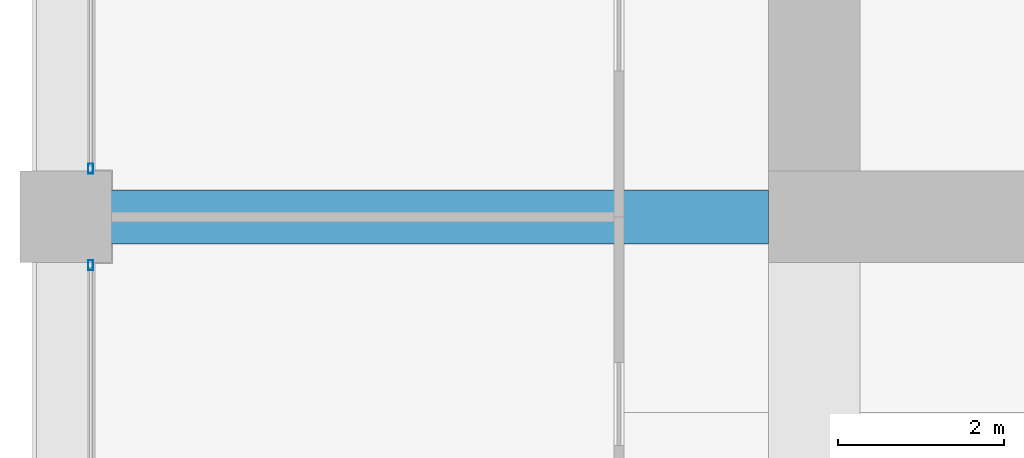
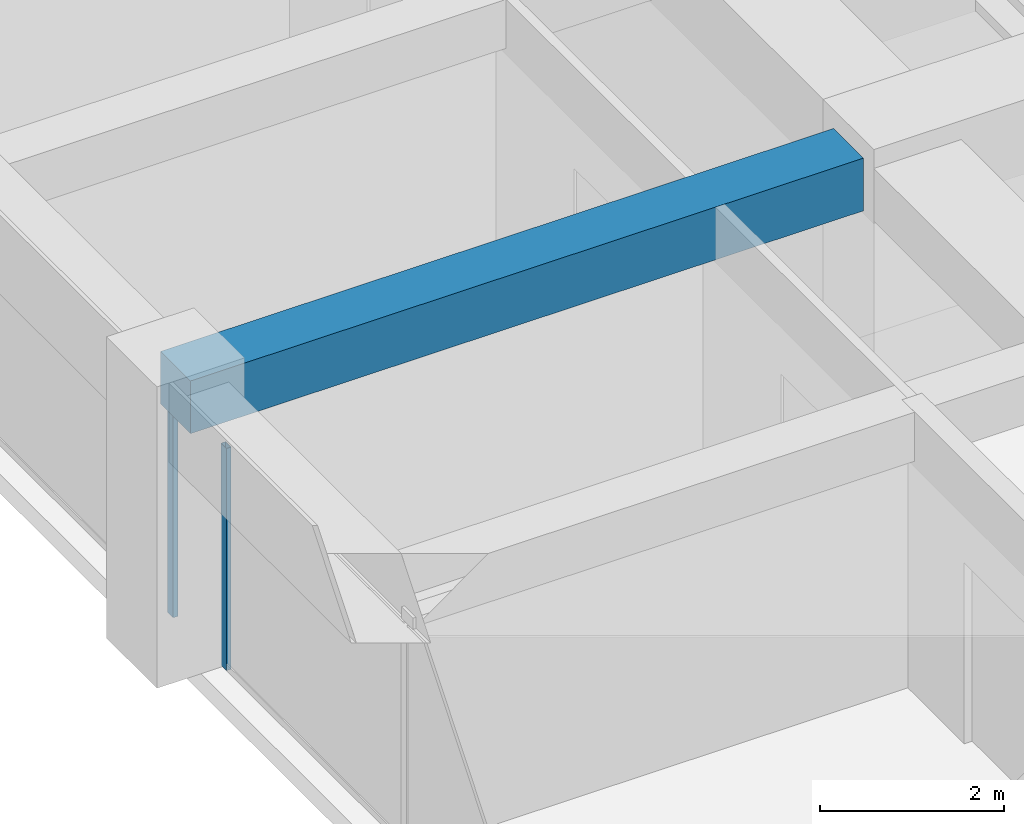
# One storey, part 13 of 44: 2 members, 1 beam, 2 elements without a shape of their own.
"""IFC4 building model written with IfcOpenShell, lengths in metres."""

from ifc_helpers import new_model, si_unit, direction, frame, origin, origin_2d, place, context, subcontext, project, spatial, rectangle, hollow_rectangle, extrude, material, material_profile, profile_set, type_object, element, aggregate, save


model = new_model("IFC4")

# Units and contexts
model_context = context("Model", 3, precision=1e-05, world=origin(), true_north=direction((0.0, 1.0)))
body_context = subcontext(model_context, "Body", "Model", "MODEL_VIEW")
ifc_project = project(units=[si_unit("LENGTHUNIT", "METRE"), si_unit("AREAUNIT", "SQUARE_METRE"), si_unit("VOLUMEUNIT", "CUBIC_METRE"), si_unit("PLANEANGLEUNIT", "RADIAN"), si_unit("MASSUNIT", "GRAM", prefix="KILO")], contexts=[model_context])

# Site, building, storey
site_placement = place(None, origin())
site = spatial("IfcSite", under=ifc_project, at=site_placement, CompositionType="ELEMENT")
building_placement = place(site_placement, origin())
building = spatial("IfcBuilding", under=site, at=building_placement, Name="Zorevar Civic Tower", CompositionType="ELEMENT")
storey_placement = place(building_placement, frame((0.0, 0.0, 275.39990234375)))
storey = spatial("IfcBuildingStorey", under=building, at=storey_placement, Name="L67", CompositionType="ELEMENT", Elevation=275.39990234375)

# Beam
ifc_material_1 = material(Name="Concrete C50/60", Category="concrete")
ifc_material_profile_1 = material_profile(ifc_material_1, rectangle(XDim=0.64990234375, YDim=0.699951171875, at=origin_2d()), Name="RC 650x700")
ifc_profile_set_1 = profile_set([ifc_material_profile_1], Name="Concrete C50/60")
beam_type = type_object("IfcBeamType", Name="Beam RC 650x700", PredefinedType="BEAM", material=ifc_profile_set_1)
beam_placement = place(storey_placement, frame((9.0, 18.0, 3.400146484375), z_axis=(1.0, 0.0, 0.0), x_axis=(0.0, 1.0, 0.0)))
element("IfcBeam", 1, at=beam_placement, inside=storey, type_object=beam_type, Name="Girder L68", PredefinedType="BEAM", context=body_context, shape_type="SweptSolid", body=[
    extrude(rectangle(XDim=0.64990234375, YDim=0.699951171875, at=origin_2d()), origin(), (0.0, 0.0, 1.0), 8.449951171875),
])

# Curtain wall, member
ifc_material_2 = material(Name="Dark grey solar-control glass in black aluminium frame", Category="aluminium")
curtain_wall_type = type_object("IfcCurtainWallType", Name="Curtain wall CW5 top zone", PredefinedType="NOTDEFINED", material=ifc_material_2)
curtain_wall_1_placement = place(storey_placement, origin())
curtain_wall_1 = element("IfcCurtainWall", 2, at=curtain_wall_1_placement, inside=storey, type_object=curtain_wall_type, Name="CW5 L67", PredefinedType="NOTDEFINED")
ifc_material_3 = material(Name="Aluminium, black anodised", Category="aluminium")
ifc_material_profile_2 = material_profile(ifc_material_3, hollow_rectangle(XDim=0.06005859375, YDim=0.1201171875, WallThickness=0.0029296875, at=origin_2d()), Name="AL 120x60x3")
ifc_profile_set_2 = profile_set([ifc_material_profile_2], Name="Aluminium, black anodised")
member_type = type_object("IfcMemberType", Name="CW5 mullion AL 120x60x3", PredefinedType="MULLION", material=ifc_profile_set_2)
member_1_placement = place(storey_placement, frame((9.300048828125, 17.419921875, 0.0), z_axis=(0.0, 0.0, 1.0), x_axis=(-1.0, 0.0, 0.0)))
member_1 = element("IfcMember", 3, at=member_1_placement, type_object=member_type, Name="CW5 mullion 3", PredefinedType="MULLION", context=body_context, shape_type="SweptSolid", body=[
    extrude(hollow_rectangle(XDim=0.06005859375, YDim=0.1201171875, WallThickness=0.0029296875, at=origin_2d()), origin(), (0.0, 0.0, 1.0), 2.9501953125),
])
aggregate(curtain_wall_1, [member_1])

curtain_wall_2_placement = place(storey_placement, origin())
curtain_wall_2 = element("IfcCurtainWall", 4, at=curtain_wall_2_placement, inside=storey, type_object=curtain_wall_type, Name="CW5 L67", PredefinedType="NOTDEFINED")
member_2_placement = place(storey_placement, frame((9.300048828125, 18.580078125, 0.0), z_axis=(0.0, 0.0, 1.0), x_axis=(-1.0, 0.0, 0.0)))
member_2 = element("IfcMember", 5, at=member_2_placement, type_object=member_type, Name="CW5 mullion 1", PredefinedType="MULLION", context=body_context, shape_type="SweptSolid", body=[
    extrude(hollow_rectangle(XDim=0.06005859375, YDim=0.1201171875, WallThickness=0.0029296875, at=origin_2d()), origin(), (0.0, 0.0, 1.0), 2.9501953125),
])
aggregate(curtain_wall_2, [member_2])

save(model, "model.ifc")
